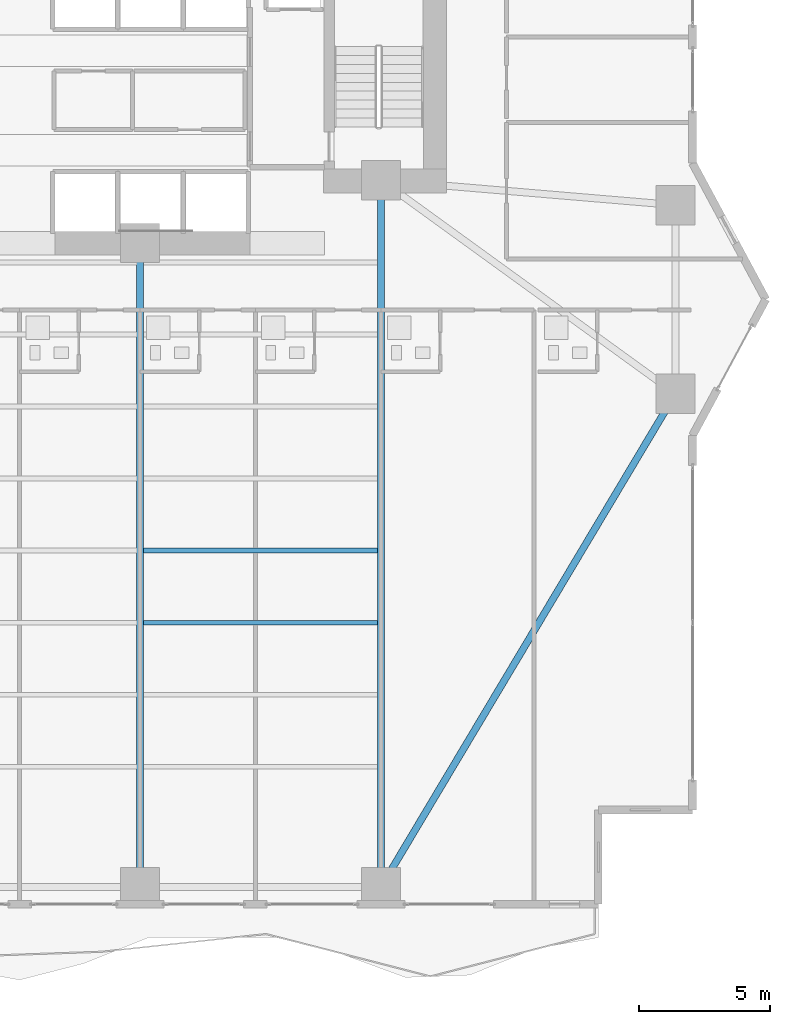
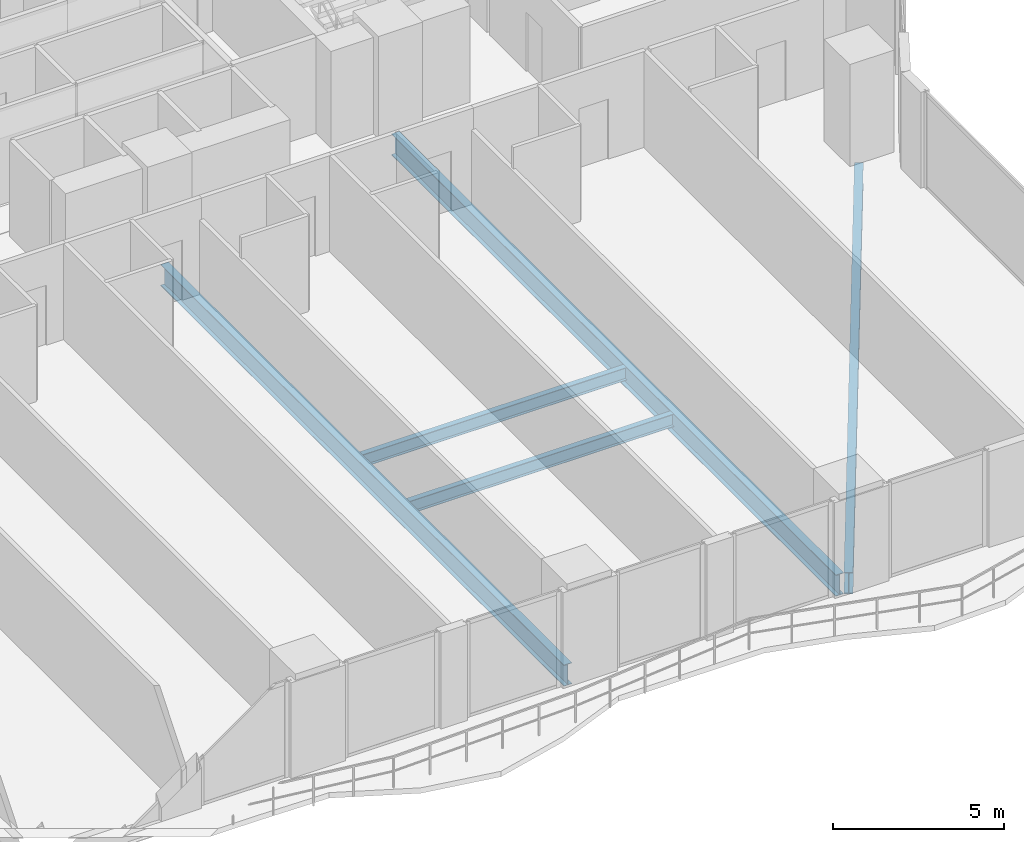
# One storey, part 9 of 29: 5 beams.
"""IFC4 building model written with IfcOpenShell, lengths in metres."""

from ifc_helpers import new_model, si_unit, direction, frame, origin, origin_2d, place, context, subcontext, project, spatial, i_section, extrude, material, material_profile, profile_set, type_object, element, save


model = new_model("IFC4")

# Units and contexts
model_context = context("Model", 3, precision=1e-05, world=origin(), true_north=direction((0.0, 1.0)))
body_context = subcontext(model_context, "Body", "Model", "MODEL_VIEW")
ifc_project = project(units=[si_unit("LENGTHUNIT", "METRE"), si_unit("AREAUNIT", "SQUARE_METRE"), si_unit("VOLUMEUNIT", "CUBIC_METRE"), si_unit("PLANEANGLEUNIT", "RADIAN"), si_unit("MASSUNIT", "GRAM", prefix="KILO")], contexts=[model_context])

# Site, building, storey
site_placement = place(None, origin())
site = spatial("IfcSite", under=ifc_project, at=site_placement, CompositionType="ELEMENT")
building_placement = place(site_placement, origin())
building = spatial("IfcBuilding", under=site, at=building_placement, Name="Zuhayl Quay Hotel", CompositionType="ELEMENT")
storey_placement = place(building_placement, frame((0.0, 0.0, 60.449951171875)))
storey = spatial("IfcBuildingStorey", under=building, at=storey_placement, Name="L14", CompositionType="ELEMENT", Elevation=60.449951171875)

# Beams
ifc_material = material(Name="Steel ASTM A992 Grade 50", Category="steel")
ifc_material_profile_1 = material_profile(ifc_material, i_section(OverallWidth=0.26708984375, OverallDepth=0.761962890625, WebThickness=0.014404296875, FlangeThickness=0.021484375, at=origin_2d()), Name="W30X116")
ifc_profile_set_1 = profile_set([ifc_material_profile_1], Name="Steel ASTM A992 Grade 50")
beam_type_1 = type_object("IfcBeamType", Name="BM_B1_W30X116", PredefinedType="BEAM", material=ifc_profile_set_1)
beam_1_placement = place(storey_placement, frame((14.05615234375, -22.020751953125, -0.600830078125), z_axis=(0.512482593247, 0.85869761361, 0.0), x_axis=(-0.85869761361, 0.512482593247, 0.0)))
element("IfcBeam", 1, at=beam_1_placement, inside=storey, type_object=beam_type_1, Name="L14 Floor Beam RG_L14_04", PredefinedType="BEAM", context=body_context, shape_type="SweptSolid", body=[
    extrude(i_section(OverallWidth=0.26708984375, OverallDepth=0.761962890625, WebThickness=0.014404296875, FlangeThickness=0.021484375, at=origin_2d()), origin(), (0.0, 0.0, 1.0), 20.9521484375),
])
beam_2_placement = place(storey_placement, frame((4.60009765625, -21.949951171875, -0.600830078125), z_axis=(0.0, 1.0, 0.0), x_axis=(-1.0, 0.0, 0.0)))
element("IfcBeam", 2, at=beam_2_placement, inside=storey, type_object=beam_type_1, Name="L14 Floor Beam FG_S_L14_3", PredefinedType="BEAM", context=body_context, shape_type="SweptSolid", body=[
    extrude(i_section(OverallWidth=0.26708984375, OverallDepth=0.761962890625, WebThickness=0.014404296875, FlangeThickness=0.021484375, at=origin_2d()), origin(), (0.0, 0.0, 1.0), 23.64990234375),
])
beam_3_placement = place(storey_placement, frame((13.800048828125, -21.949951171875, -0.600830078125), z_axis=(0.0, 1.0, 0.0), x_axis=(-1.0, 0.0, 0.0)))
element("IfcBeam", 3, at=beam_3_placement, inside=storey, type_object=beam_type_1, Name="L14 Floor Beam FG_S_L14_4", PredefinedType="BEAM", context=body_context, shape_type="SweptSolid", body=[
    extrude(i_section(OverallWidth=0.26708984375, OverallDepth=0.761962890625, WebThickness=0.014404296875, FlangeThickness=0.021484375, at=origin_2d()), origin(), (0.0, 0.0, 1.0), 26.050048828125),
])
ifc_material_profile_2 = material_profile(ifc_material, i_section(OverallWidth=0.18994140625, OverallDepth=0.45703125, WebThickness=0.009033203125, FlangeThickness=0.014404296875, at=origin_2d()), Name="W18X50")
ifc_profile_set_2 = profile_set([ifc_material_profile_2], Name="Steel ASTM A992 Grade 50")
beam_type_2 = type_object("IfcBeamType", Name="BM_J2_W18X50", PredefinedType="JOIST", material=ifc_profile_set_2)
for number, where, z_axis, x_axis, name in (
    (4, (4.7255859375, -12.35009765625, -0.448486328125), (1.0, 0.0, 0.0), (0.0, 1.0, 0.0), "L14 Floor Beam FJ_L14_5_3"),
    (5, (4.7255859375, -9.60009765625, -0.448486328125), (1.0, 0.0, 0.0), (0.0, 1.0, 0.0), "L14 Floor Beam FJ_L14_6_3"),
):
    element("IfcBeam", number, at=place(storey_placement, frame(where, z_axis=z_axis, x_axis=x_axis)), inside=storey, type_object=beam_type_2, Name=name, PredefinedType="JOIST", context=body_context, shape_type="SweptSolid", body=[
        extrude(i_section(OverallWidth=0.18994140625, OverallDepth=0.45703125, WebThickness=0.009033203125, FlangeThickness=0.014404296875, at=origin_2d()), origin(), (0.0, 0.0, 1.0), 8.948974609375),
    ])

save(model, "model.ifc")
